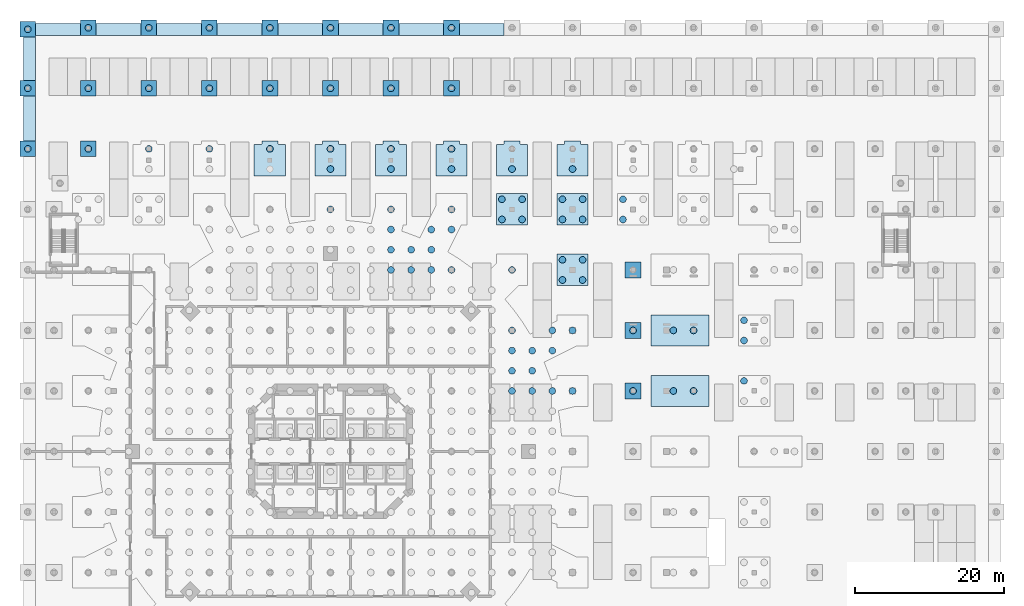
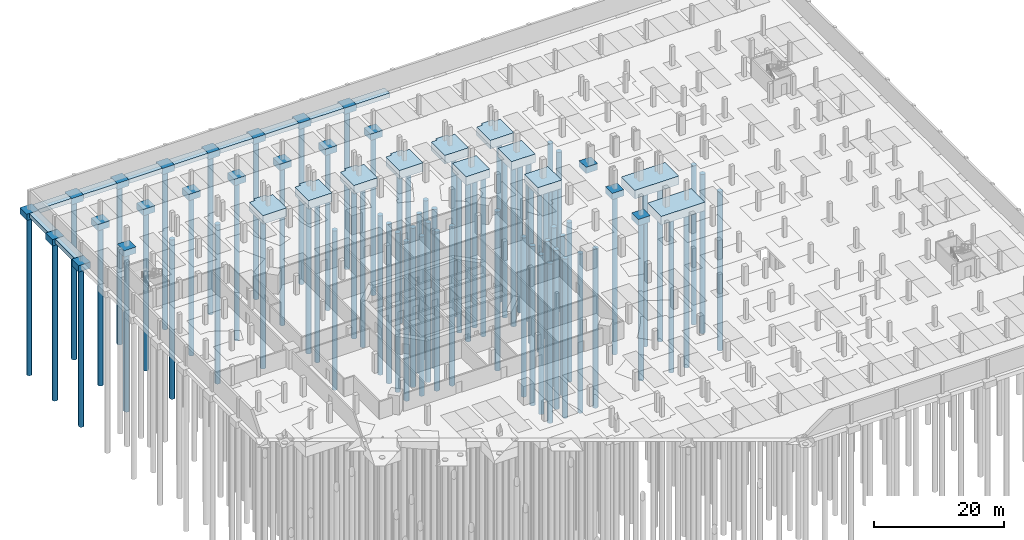
# One storey, part 6 of 23: 78 piles, 42 footings.
"""IFC4 building model written with IfcOpenShell, lengths in metres."""

from ifc_helpers import new_model, si_unit, direction, frame, origin, origin_2d, place, context, subcontext, project, spatial, polyline, rectangle, circle, outline, extrude, material, material_profile, profile_set, type_object, element, save


model = new_model("IFC4")

# Units and contexts
model_context = context("Model", 3, precision=1e-05, world=origin(), true_north=direction((0.0, 1.0)))
body_context = subcontext(model_context, "Body", "Model", "MODEL_VIEW")
ifc_project = project(units=[si_unit("LENGTHUNIT", "METRE"), si_unit("AREAUNIT", "SQUARE_METRE"), si_unit("VOLUMEUNIT", "CUBIC_METRE"), si_unit("PLANEANGLEUNIT", "RADIAN"), si_unit("MASSUNIT", "GRAM", prefix="KILO")], contexts=[model_context])

# Site, building, storey
site_placement = place(None, origin())
site = spatial("IfcSite", under=ifc_project, at=site_placement, CompositionType="ELEMENT")
building_placement = place(site_placement, origin())
building = spatial("IfcBuilding", under=site, at=building_placement, Name="Torre Triforio", CompositionType="ELEMENT")
storey_placement = place(building_placement, frame((0.0, 0.0, -10.800048828125)))
storey = spatial("IfcBuildingStorey", under=building, at=storey_placement, Name="B3", CompositionType="ELEMENT", Elevation=-10.800048828125)

# Piles
ifc_material_1 = material(Name="Concrete C35", Category="concrete")
ifc_material_profile = material_profile(ifc_material_1, circle(Radius=0.449951171875, at=origin_2d()), Name="RC D900")
ifc_profile_set = profile_set([ifc_material_profile], Name="Concrete C35")
pile_type = type_object("IfcPileType", Name="Bored pile D900 C35", PredefinedType="BORED", material=ifc_profile_set)
for number, where, z_axis, x_axis, name in (
    (1, (0.0, 32.39990234375, -3.39990234375), (0.0, 0.0, -1.0), (1.0, 0.0, 0.0), "PL.RAFT.241"),
    (2, (8.10009765625, 24.300048828125, -3.39990234375), (0.0, 0.0, -1.0), (1.0, 0.0, 0.0), "PL.RAFT.309"),
    (3, (8.10009765625, 27.0, -3.39990234375), (0.0, 0.0, -1.0), (1.0, 0.0, 0.0), "PL.RAFT.310"),
    (4, (8.10009765625, 29.699951171875, -3.39990234375), (0.0, 0.0, -1.0), (1.0, 0.0, 0.0), "PL.RAFT.311"),
    (5, (8.10009765625, 32.39990234375, -3.39990234375), (0.0, 0.0, -1.0), (1.0, 0.0, 0.0), "PL.RAFT.312"),
    (6, (10.800048828125, 24.300048828125, -3.39990234375), (0.0, 0.0, -1.0), (1.0, 0.0, 0.0), "PL.RAFT.332"),
    (7, (10.800048828125, 27.0, -3.39990234375), (0.0, 0.0, -1.0), (1.0, 0.0, 0.0), "PL.RAFT.333"),
    (8, (13.5, 24.300048828125, -3.39990234375), (0.0, 0.0, -1.0), (1.0, 0.0, 0.0), "PL.RAFT.354"),
    (9, (13.5, 27.0, -3.39990234375), (0.0, 0.0, -1.0), (1.0, 0.0, 0.0), "PL.RAFT.355"),
    (10, (13.5, 29.699951171875, -3.39990234375), (0.0, 0.0, -1.0), (1.0, 0.0, 0.0), "PL.RAFT.356"),
    (11, (16.199951171875, 24.300048828125, -3.39990234375), (0.0, 0.0, -1.0), (1.0, 0.0, 0.0), "PL.RAFT.377"),
    (12, (16.199951171875, 29.699951171875, -3.39990234375), (0.0, 0.0, -1.0), (1.0, 0.0, 0.0), "PL.RAFT.378"),
    (13, (16.199951171875, 32.39990234375, -3.39990234375), (0.0, 0.0, -1.0), (1.0, 0.0, 0.0), "PL.RAFT.379"),
    (14, (24.300048828125, 8.10009765625, -3.39990234375), (0.0, 0.0, -1.0), (1.0, 0.0, 0.0), "PL.RAFT.424"),
    (15, (24.300048828125, 10.800048828125, -3.39990234375), (0.0, 0.0, -1.0), (1.0, 0.0, 0.0), "PL.RAFT.425"),
    (16, (24.300048828125, 13.5, -3.39990234375), (0.0, 0.0, -1.0), (1.0, 0.0, 0.0), "PL.RAFT.426"),
    (17, (24.300048828125, 16.199951171875, -3.39990234375), (0.0, 0.0, -1.0), (1.0, 0.0, 0.0), "PL.RAFT.427"),
    (18, (24.300048828125, 24.300048828125, -3.39990234375), (0.0, 0.0, -1.0), (1.0, 0.0, 0.0), "PL.RAFT.428"),
    (19, (27.0, 8.10009765625, -3.39990234375), (0.0, 0.0, -1.0), (1.0, 0.0, 0.0), "PL.RAFT.437"),
    (20, (27.0, 10.800048828125, -3.39990234375), (0.0, 0.0, -1.0), (1.0, 0.0, 0.0), "PL.RAFT.438"),
    (21, (27.0, 13.5, -3.39990234375), (0.0, 0.0, -1.0), (1.0, 0.0, 0.0), "PL.RAFT.439"),
    (22, (29.699951171875, 8.10009765625, -3.39990234375), (0.0, 0.0, -1.0), (1.0, 0.0, 0.0), "PL.RAFT.448"),
    (23, (29.699951171875, 13.5, -3.39990234375), (0.0, 0.0, -1.0), (1.0, 0.0, 0.0), "PL.RAFT.449"),
    (24, (29.699951171875, 16.199951171875, -3.39990234375), (0.0, 0.0, -1.0), (1.0, 0.0, 0.0), "PL.RAFT.450"),
    (25, (32.39990234375, 8.10009765625, -3.39990234375), (0.0, 0.0, -1.0), (1.0, 0.0, 0.0), "PL.RAFT.454"),
    (26, (32.39990234375, 16.199951171875, -3.39990234375), (0.0, 0.0, -1.0), (1.0, 0.0, 0.0), "PL.RAFT.455"),
    (27, (40.5, 8.10009765625, -1.099853515625), (0.0, 0.0, -1.0), (1.0, 0.0, 0.0), "PL.PC.110.1"),
    (28, (45.89990234375, 8.10009765625, -1.5), (0.0, 0.0, -1.0), (1.0, 0.0, 0.0), "PL.PC.111.1"),
    (29, (48.60009765625, 8.10009765625, -1.5), (0.0, 0.0, -1.0), (1.0, 0.0, 0.0), "PL.PC.111.2"),
    (30, (55.35009765625, 9.449951171875, -1.5), (0.0, 0.0, -1.0), (1.0, 0.0, 0.0), "PL.PC.112.3"),
    (31, (40.5, 16.199951171875, -1.099853515625), (0.0, 0.0, -1.0), (1.0, 0.0, 0.0), "PL.PC.120.1"),
    (32, (45.89990234375, 16.199951171875, -1.5), (0.0, 0.0, -1.0), (1.0, 0.0, 0.0), "PL.PC.121.1"),
    (33, (48.60009765625, 16.199951171875, -1.5), (0.0, 0.0, -1.0), (1.0, 0.0, 0.0), "PL.PC.121.2"),
    (34, (55.35009765625, 14.85009765625, -1.5), (0.0, 0.0, -1.0), (1.0, 0.0, 0.0), "PL.PC.122.1"),
    (35, (55.35009765625, 17.550048828125, -1.5), (0.0, 0.0, -1.0), (1.0, 0.0, 0.0), "PL.PC.122.3"),
    (36, (31.050048828125, 22.949951171875, -1.5), (0.0, 0.0, -1.0), (1.0, 0.0, 0.0), "PL.PC.131.1"),
    (37, (33.75, 22.949951171875, -1.5), (0.0, 0.0, -1.0), (1.0, 0.0, 0.0), "PL.PC.131.2"),
    (38, (31.050048828125, 25.64990234375, -1.5), (0.0, 0.0, -1.0), (1.0, 0.0, 0.0), "PL.PC.131.3"),
    (39, (33.75, 25.64990234375, -1.5), (0.0, 0.0, -1.0), (1.0, 0.0, 0.0), "PL.PC.131.4"),
    (40, (22.949951171875, 31.050048828125, -1.5), (0.0, 0.0, -1.0), (1.0, 0.0, 0.0), "PL.PC.145.1"),
    (41, (25.64990234375, 31.050048828125, -1.5), (0.0, 0.0, -1.0), (1.0, 0.0, 0.0), "PL.PC.145.2"),
    (42, (22.949951171875, 33.75, -1.5), (0.0, 0.0, -1.0), (1.0, 0.0, 0.0), "PL.PC.145.3"),
    (43, (25.64990234375, 33.75, -1.5), (0.0, 0.0, -1.0), (1.0, 0.0, 0.0), "PL.PC.145.4"),
    (44, (31.050048828125, 31.050048828125, -1.5), (0.0, 0.0, -1.0), (1.0, 0.0, 0.0), "PL.PC.146.1"),
    (45, (33.75, 31.050048828125, -1.5), (0.0, 0.0, -1.0), (1.0, 0.0, 0.0), "PL.PC.146.2"),
    (46, (31.050048828125, 33.75, -1.5), (0.0, 0.0, -1.0), (1.0, 0.0, 0.0), "PL.PC.146.3"),
    (47, (33.75, 33.75, -1.5), (0.0, 0.0, -1.0), (1.0, 0.0, 0.0), "PL.PC.146.4"),
    (48, (39.14990234375, 31.050048828125, -1.5), (0.0, 0.0, -1.0), (1.0, 0.0, 0.0), "PL.PC.147.1"),
    (49, (39.14990234375, 33.75, -1.5), (0.0, 0.0, -1.0), (1.0, 0.0, 0.0), "PL.PC.147.3"),
    (50, (-24.300048828125, 40.5, -1.5), (0.0, 0.0, -1.0), (1.0, 0.0, 0.0), "PL.PC.157.2"),
    (51, (-16.199951171875, 40.5, -1.5), (0.0, 0.0, -1.0), (1.0, 0.0, 0.0), "PL.PC.158.2"),
    (52, (-8.10009765625, 40.5, -1.5), (0.0, 0.0, -1.0), (1.0, 0.0, 0.0), "PL.PC.159.2"),
    (53, (0.0, 37.800048828125, -1.5), (0.0, 0.0, -1.0), (1.0, 0.0, 0.0), "PL.PC.160.1"),
    (54, (0.0, 40.5, -1.5), (0.0, 0.0, -1.0), (1.0, 0.0, 0.0), "PL.PC.160.2"),
    (55, (8.10009765625, 37.800048828125, -1.5), (0.0, 0.0, -1.0), (1.0, 0.0, 0.0), "PL.PC.161.1"),
    (56, (8.10009765625, 40.5, -1.5), (0.0, 0.0, -1.0), (1.0, 0.0, 0.0), "PL.PC.161.2"),
    (57, (16.199951171875, 37.800048828125, -1.5), (0.0, 0.0, -1.0), (1.0, 0.0, 0.0), "PL.PC.162.1"),
    (58, (16.199951171875, 40.5, -1.5), (0.0, 0.0, -1.0), (1.0, 0.0, 0.0), "PL.PC.162.2"),
    (59, (24.300048828125, 37.800048828125, -1.5), (0.0, 0.0, -1.0), (1.0, 0.0, 0.0), "PL.PC.163.1"),
    (60, (32.39990234375, 37.800048828125, -1.5), (0.0, 0.0, -1.0), (1.0, 0.0, 0.0), "PL.PC.164.1"),
    (61, (-40.5, 40.5, -1.099853515625), (0.0, 0.0, -1.0), (1.0, 0.0, 0.0), "PL.PC.167.1"),
    (62, (-32.39990234375, 40.5, -1.099853515625), (0.0, 0.0, -1.0), (1.0, 0.0, 0.0), "PL.PC.168.1"),
    (63, (-40.5, 48.60009765625, -1.099853515625), (0.0, 0.0, -1.0), (1.0, 0.0, 0.0), "PL.PC.173.1"),
    (64, (-32.39990234375, 48.60009765625, -1.099853515625), (0.0, 0.0, -1.0), (1.0, 0.0, 0.0), "PL.PC.174.1"),
    (65, (-24.300048828125, 48.60009765625, -1.099853515625), (0.0, 0.0, -1.0), (1.0, 0.0, 0.0), "PL.PC.175.1"),
    (66, (-16.199951171875, 48.60009765625, -1.099853515625), (0.0, 0.0, -1.0), (1.0, 0.0, 0.0), "PL.PC.176.1"),
    (67, (-8.10009765625, 48.60009765625, -1.099853515625), (0.0, 0.0, -1.0), (1.0, 0.0, 0.0), "PL.PC.177.1"),
    (68, (0.0, 48.60009765625, -1.099853515625), (0.0, 0.0, -1.0), (1.0, 0.0, 0.0), "PL.PC.178.1"),
    (69, (8.10009765625, 48.60009765625, -1.099853515625), (0.0, 0.0, -1.0), (1.0, 0.0, 0.0), "PL.PC.179.1"),
    (70, (16.199951171875, 48.60009765625, -1.099853515625), (0.0, 0.0, -1.0), (1.0, 0.0, 0.0), "PL.PC.180.1"),
    (71, (-40.5, 56.5, -1.099853515625), (0.0, 0.0, -1.0), (1.0, 0.0, 0.0), "PL.PC.190.1"),
    (72, (-32.39990234375, 56.699951171875, -1.099853515625), (0.0, 0.0, -1.0), (1.0, 0.0, 0.0), "PL.PC.192.1"),
    (73, (-24.300048828125, 56.699951171875, -1.099853515625), (0.0, 0.0, -1.0), (1.0, 0.0, 0.0), "PL.PC.193.1"),
    (74, (-16.199951171875, 56.699951171875, -1.099853515625), (0.0, 0.0, -1.0), (1.0, 0.0, 0.0), "PL.PC.194.1"),
    (75, (-8.10009765625, 56.699951171875, -1.099853515625), (0.0, 0.0, -1.0), (1.0, 0.0, 0.0), "PL.PC.195.1"),
    (76, (0.0, 56.699951171875, -1.099853515625), (0.0, 0.0, -1.0), (1.0, 0.0, 0.0), "PL.PC.196.1"),
    (77, (8.10009765625, 56.699951171875, -1.099853515625), (0.0, 0.0, -1.0), (1.0, 0.0, 0.0), "PL.PC.197.1"),
    (78, (16.199951171875, 56.699951171875, -1.099853515625), (0.0, 0.0, -1.0), (1.0, 0.0, 0.0), "PL.PC.198.1"),
):
    element("IfcPile", number, at=place(storey_placement, frame(where, z_axis=z_axis, x_axis=x_axis)), inside=storey, type_object=pile_type, Name=name, PredefinedType="BORED", context=body_context, shape_type="SweptSolid", body=[
        extrude(circle(Radius=0.449951171875, at=origin_2d()), origin(), (0.0, 0.0, 1.0), 30.0),
    ])

# Footings
ifc_material_2 = material(Name="Concrete C50", Category="concrete")
footing_type_1 = type_object("IfcFootingType", Name="Pile cap combined 1600 C50", PredefinedType="PILE_CAP", material=ifc_material_2)
footing_1_placement = place(storey_placement, frame((0.0, 0.0, -1.599853515625)))
element("IfcFooting", 79, at=footing_1_placement, inside=storey, type_object=footing_type_1, Name="FT.PC.111", PredefinedType="PILE_CAP", context=body_context, shape_type="SweptSolid", body=[
    extrude(outline(polyline([(42.900146484375, 6.000244140625), (42.903564453125, 6.0), (50.6962890625, 6.0), (50.69970703125, 6.000244140625), (50.699951171875, 6.003662109375), (50.699951171875, 10.1962890625), (50.69970703125, 10.19970703125), (50.6962890625, 10.199951171875), (42.903564453125, 10.199951171875), (42.900146484375, 10.19970703125), (42.89990234375, 10.1962890625), (42.89990234375, 6.003662109375), (42.900146484375, 6.000244140625)])), origin(), (0.0, 0.0, 1.0), 1.599853515625),
])
footing_2_placement = place(storey_placement, frame((0.0, 0.0, -1.599853515625)))
element("IfcFooting", 80, at=footing_2_placement, inside=storey, type_object=footing_type_1, Name="FT.PC.121", PredefinedType="PILE_CAP", context=body_context, shape_type="SweptSolid", body=[
    extrude(outline(polyline([(42.900146484375, 14.10009765625), (42.903564453125, 14.10009765625), (50.6962890625, 14.10009765625), (50.69970703125, 14.10009765625), (50.699951171875, 14.103759765625), (50.699951171875, 18.29638671875), (50.69970703125, 18.2998046875), (50.6962890625, 18.300048828125), (42.903564453125, 18.300048828125), (42.900146484375, 18.2998046875), (42.89990234375, 18.29638671875), (42.89990234375, 14.103759765625), (42.900146484375, 14.10009765625)])), origin(), (0.0, 0.0, 1.0), 1.599853515625),
])
footing_3_placement = place(storey_placement, frame((0.0, 0.0, -1.599853515625)))
element("IfcFooting", 81, at=footing_3_placement, inside=storey, type_object=footing_type_1, Name="FT.PC.159", PredefinedType="PILE_CAP", context=body_context, shape_type="SweptSolid", body=[
    extrude(outline(polyline([(-10.19970703125, 36.900146484375), (-10.1962890625, 36.89990234375), (-6.003662109375, 36.89990234375), (-6.000244140625, 36.900146484375), (-6.0, 36.903564453125), (-6.0, 41.096435546875), (-6.000244140625, 41.099853515625), (-6.003662109375, 41.10009765625), (-6.89990234375, 41.10009765625), (-6.914794921875, 41.100830078125), (-6.92919921875, 41.102783203125), (-6.943603515625, 41.1064453125), (-6.95751953125, 41.111328125), (-6.970703125, 41.11767578125), (-6.9833984375, 41.125244140625), (-6.9951171875, 41.134033203125), (-7.006103515625, 41.14404296875), (-7.015869140625, 41.15478515625), (-7.024658203125, 41.166748046875), (-7.0322265625, 41.17919921875), (-7.03857421875, 41.192626953125), (-7.04345703125, 41.20654296875), (-7.047119140625, 41.220703125), (-7.04931640625, 41.2353515625), (-7.050048828125, 41.25), (-7.050048828125, 41.54638671875), (-7.05029296875, 41.5498046875), (-7.0537109375, 41.550048828125), (-9.146240234375, 41.550048828125), (-9.14990234375, 41.5498046875), (-9.14990234375, 41.54638671875), (-9.14990234375, 41.25), (-9.150634765625, 41.2353515625), (-9.15283203125, 41.220703125), (-9.156494140625, 41.20654296875), (-9.161376953125, 41.192626953125), (-9.167724609375, 41.17919921875), (-9.17529296875, 41.166748046875), (-9.18408203125, 41.15478515625), (-9.19384765625, 41.14404296875), (-9.204833984375, 41.134033203125), (-9.216552734375, 41.125244140625), (-9.229248046875, 41.11767578125), (-9.24267578125, 41.111328125), (-9.25634765625, 41.1064453125), (-9.270751953125, 41.102783203125), (-9.285400390625, 41.100830078125), (-9.300048828125, 41.10009765625), (-10.1962890625, 41.10009765625), (-10.19970703125, 41.099853515625), (-10.199951171875, 41.096435546875), (-10.199951171875, 36.903564453125), (-10.19970703125, 36.900146484375)])), origin(), (0.0, 0.0, 1.0), 1.599853515625),
])
footing_4_placement = place(storey_placement, frame((0.0, 0.0, -1.599853515625)))
element("IfcFooting", 82, at=footing_4_placement, inside=storey, type_object=footing_type_1, Name="FT.PC.160", PredefinedType="PILE_CAP", context=body_context, shape_type="SweptSolid", body=[
    extrude(outline(polyline([(-2.099853515625, 36.900146484375), (-2.096435546875, 36.89990234375), (2.096435546875, 36.89990234375), (2.099853515625, 36.900146484375), (2.10009765625, 36.903564453125), (2.10009765625, 41.096435546875), (2.099853515625, 41.099853515625), (2.096435546875, 41.10009765625), (1.199951171875, 41.10009765625), (1.185302734375, 41.100830078125), (1.170654296875, 41.102783203125), (1.156494140625, 41.1064453125), (1.142578125, 41.111328125), (1.12939453125, 41.11767578125), (1.11669921875, 41.125244140625), (1.104736328125, 41.134033203125), (1.093994140625, 41.14404296875), (1.083984375, 41.15478515625), (1.0751953125, 41.166748046875), (1.067626953125, 41.17919921875), (1.0615234375, 41.192626953125), (1.056396484375, 41.20654296875), (1.052978515625, 41.220703125), (1.05078125, 41.2353515625), (1.050048828125, 41.25), (1.050048828125, 41.54638671875), (1.0498046875, 41.5498046875), (1.04638671875, 41.550048828125), (-1.04638671875, 41.550048828125), (-1.0498046875, 41.5498046875), (-1.050048828125, 41.54638671875), (-1.050048828125, 41.25), (-1.05078125, 41.2353515625), (-1.052978515625, 41.220703125), (-1.056396484375, 41.20654296875), (-1.0615234375, 41.192626953125), (-1.067626953125, 41.17919921875), (-1.0751953125, 41.166748046875), (-1.083984375, 41.15478515625), (-1.093994140625, 41.14404296875), (-1.104736328125, 41.134033203125), (-1.11669921875, 41.125244140625), (-1.12939453125, 41.11767578125), (-1.142578125, 41.111328125), (-1.156494140625, 41.1064453125), (-1.170654296875, 41.102783203125), (-1.185302734375, 41.100830078125), (-1.199951171875, 41.10009765625), (-2.096435546875, 41.10009765625), (-2.099853515625, 41.099853515625), (-2.10009765625, 41.096435546875), (-2.10009765625, 36.903564453125), (-2.099853515625, 36.900146484375)])), origin(), (0.0, 0.0, 1.0), 1.599853515625),
])
footing_5_placement = place(storey_placement, frame((0.0, 0.0, -1.599853515625)))
element("IfcFooting", 83, at=footing_5_placement, inside=storey, type_object=footing_type_1, Name="FT.PC.161", PredefinedType="PILE_CAP", context=body_context, shape_type="SweptSolid", body=[
    extrude(outline(polyline([(6.000244140625, 36.900146484375), (6.003662109375, 36.89990234375), (10.1962890625, 36.89990234375), (10.19970703125, 36.900146484375), (10.199951171875, 36.903564453125), (10.199951171875, 41.096435546875), (10.19970703125, 41.099853515625), (10.1962890625, 41.10009765625), (9.300048828125, 41.10009765625), (9.285400390625, 41.100830078125), (9.270751953125, 41.102783203125), (9.25634765625, 41.1064453125), (9.24267578125, 41.111328125), (9.229248046875, 41.11767578125), (9.216552734375, 41.125244140625), (9.204833984375, 41.134033203125), (9.19384765625, 41.14404296875), (9.18408203125, 41.15478515625), (9.17529296875, 41.166748046875), (9.167724609375, 41.17919921875), (9.161376953125, 41.192626953125), (9.156494140625, 41.20654296875), (9.15283203125, 41.220703125), (9.150634765625, 41.2353515625), (9.14990234375, 41.25), (9.14990234375, 41.54638671875), (9.14990234375, 41.5498046875), (9.146240234375, 41.550048828125), (7.0537109375, 41.550048828125), (7.05029296875, 41.5498046875), (7.050048828125, 41.54638671875), (7.050048828125, 41.25), (7.04931640625, 41.2353515625), (7.047119140625, 41.220703125), (7.04345703125, 41.20654296875), (7.03857421875, 41.192626953125), (7.0322265625, 41.17919921875), (7.024658203125, 41.166748046875), (7.015869140625, 41.15478515625), (7.006103515625, 41.14404296875), (6.9951171875, 41.134033203125), (6.9833984375, 41.125244140625), (6.970703125, 41.11767578125), (6.95751953125, 41.111328125), (6.943603515625, 41.1064453125), (6.92919921875, 41.102783203125), (6.914794921875, 41.100830078125), (6.89990234375, 41.10009765625), (6.003662109375, 41.10009765625), (6.000244140625, 41.099853515625), (6.0, 41.096435546875), (6.0, 36.903564453125), (6.000244140625, 36.900146484375)])), origin(), (0.0, 0.0, 1.0), 1.599853515625),
])
footing_6_placement = place(storey_placement, frame((0.0, 0.0, -1.599853515625)))
element("IfcFooting", 84, at=footing_6_placement, inside=storey, type_object=footing_type_1, Name="FT.PC.162", PredefinedType="PILE_CAP", context=body_context, shape_type="SweptSolid", body=[
    extrude(outline(polyline([(14.10009765625, 36.900146484375), (14.103759765625, 36.89990234375), (18.29638671875, 36.89990234375), (18.2998046875, 36.900146484375), (18.300048828125, 36.903564453125), (18.300048828125, 41.096435546875), (18.2998046875, 41.099853515625), (18.29638671875, 41.10009765625), (17.39990234375, 41.10009765625), (17.38525390625, 41.100830078125), (17.370849609375, 41.102783203125), (17.3564453125, 41.1064453125), (17.342529296875, 41.111328125), (17.329345703125, 41.11767578125), (17.316650390625, 41.125244140625), (17.304931640625, 41.134033203125), (17.2939453125, 41.14404296875), (17.283935546875, 41.15478515625), (17.275390625, 41.166748046875), (17.267822265625, 41.17919921875), (17.261474609375, 41.192626953125), (17.25634765625, 41.20654296875), (17.2529296875, 41.220703125), (17.250732421875, 41.2353515625), (17.25, 41.25), (17.25, 41.54638671875), (17.249755859375, 41.5498046875), (17.246337890625, 41.550048828125), (15.153564453125, 41.550048828125), (15.150146484375, 41.5498046875), (15.14990234375, 41.54638671875), (15.14990234375, 41.25), (15.149169921875, 41.2353515625), (15.147216796875, 41.220703125), (15.1435546875, 41.20654296875), (15.138671875, 41.192626953125), (15.13232421875, 41.17919921875), (15.124755859375, 41.166748046875), (15.115966796875, 41.15478515625), (15.10595703125, 41.14404296875), (15.09521484375, 41.134033203125), (15.083251953125, 41.125244140625), (15.07080078125, 41.11767578125), (15.057373046875, 41.111328125), (15.04345703125, 41.1064453125), (15.029296875, 41.102783203125), (15.0146484375, 41.100830078125), (15.0, 41.10009765625), (14.103759765625, 41.10009765625), (14.10009765625, 41.099853515625), (14.10009765625, 41.096435546875), (14.10009765625, 36.903564453125), (14.10009765625, 36.900146484375)])), origin(), (0.0, 0.0, 1.0), 1.599853515625),
])
footing_7_placement = place(storey_placement, frame((0.0, 0.0, -1.599853515625)))
element("IfcFooting", 85, at=footing_7_placement, inside=storey, type_object=footing_type_1, Name="FT.PC.163", PredefinedType="PILE_CAP", context=body_context, shape_type="SweptSolid", body=[
    extrude(outline(polyline([(22.2001953125, 36.900146484375), (22.20361328125, 36.89990234375), (26.396240234375, 36.89990234375), (26.39990234375, 36.900146484375), (26.39990234375, 36.903564453125), (26.39990234375, 41.096435546875), (26.39990234375, 41.099853515625), (26.396240234375, 41.10009765625), (25.5, 41.10009765625), (25.4853515625, 41.100830078125), (25.470703125, 41.102783203125), (25.45654296875, 41.1064453125), (25.442626953125, 41.111328125), (25.42919921875, 41.11767578125), (25.416748046875, 41.125244140625), (25.40478515625, 41.134033203125), (25.39404296875, 41.14404296875), (25.384033203125, 41.15478515625), (25.375244140625, 41.166748046875), (25.36767578125, 41.17919921875), (25.361328125, 41.192626953125), (25.3564453125, 41.20654296875), (25.352783203125, 41.220703125), (25.350830078125, 41.2353515625), (25.35009765625, 41.25), (25.35009765625, 41.54638671875), (25.349853515625, 41.5498046875), (25.346435546875, 41.550048828125), (23.253662109375, 41.550048828125), (23.250244140625, 41.5498046875), (23.25, 41.54638671875), (23.25, 41.25), (23.249267578125, 41.2353515625), (23.2470703125, 41.220703125), (23.24365234375, 41.20654296875), (23.238525390625, 41.192626953125), (23.232177734375, 41.17919921875), (23.224609375, 41.166748046875), (23.216064453125, 41.15478515625), (23.2060546875, 41.14404296875), (23.195068359375, 41.134033203125), (23.183349609375, 41.125244140625), (23.170654296875, 41.11767578125), (23.157470703125, 41.111328125), (23.1435546875, 41.1064453125), (23.129150390625, 41.102783203125), (23.11474609375, 41.100830078125), (23.10009765625, 41.10009765625), (22.20361328125, 41.10009765625), (22.2001953125, 41.099853515625), (22.199951171875, 41.096435546875), (22.199951171875, 36.903564453125), (22.2001953125, 36.900146484375)])), origin(), (0.0, 0.0, 1.0), 1.599853515625),
])
footing_8_placement = place(storey_placement, frame((0.0, 0.0, -1.599853515625)))
element("IfcFooting", 86, at=footing_8_placement, inside=storey, type_object=footing_type_1, Name="FT.PC.164", PredefinedType="PILE_CAP", context=body_context, shape_type="SweptSolid", body=[
    extrude(outline(polyline([(30.30029296875, 36.900146484375), (30.3037109375, 36.89990234375), (34.496337890625, 36.89990234375), (34.499755859375, 36.900146484375), (34.5, 36.903564453125), (34.5, 41.096435546875), (34.499755859375, 41.099853515625), (34.496337890625, 41.10009765625), (33.60009765625, 41.10009765625), (33.585205078125, 41.100830078125), (33.57080078125, 41.102783203125), (33.556396484375, 41.1064453125), (33.54248046875, 41.111328125), (33.529296875, 41.11767578125), (33.5166015625, 41.125244140625), (33.5048828125, 41.134033203125), (33.493896484375, 41.14404296875), (33.484130859375, 41.15478515625), (33.475341796875, 41.166748046875), (33.4677734375, 41.17919921875), (33.46142578125, 41.192626953125), (33.45654296875, 41.20654296875), (33.452880859375, 41.220703125), (33.45068359375, 41.2353515625), (33.449951171875, 41.25), (33.449951171875, 41.54638671875), (33.44970703125, 41.5498046875), (33.4462890625, 41.550048828125), (31.353759765625, 41.550048828125), (31.35009765625, 41.5498046875), (31.35009765625, 41.54638671875), (31.35009765625, 41.25), (31.349365234375, 41.2353515625), (31.34716796875, 41.220703125), (31.343505859375, 41.20654296875), (31.338623046875, 41.192626953125), (31.332275390625, 41.17919921875), (31.32470703125, 41.166748046875), (31.31591796875, 41.15478515625), (31.30615234375, 41.14404296875), (31.295166015625, 41.134033203125), (31.283447265625, 41.125244140625), (31.270751953125, 41.11767578125), (31.25732421875, 41.111328125), (31.24365234375, 41.1064453125), (31.229248046875, 41.102783203125), (31.214599609375, 41.100830078125), (31.199951171875, 41.10009765625), (30.3037109375, 41.10009765625), (30.30029296875, 41.099853515625), (30.300048828125, 41.096435546875), (30.300048828125, 36.903564453125), (30.30029296875, 36.900146484375)])), origin(), (0.0, 0.0, 1.0), 1.599853515625),
])
footing_type_2 = type_object("IfcFootingType", Name="Pile cap four pile 4200 1600 C50", PredefinedType="PILE_CAP", material=ifc_material_2)
for number, where, z_axis, x_axis, name in (
    (87, (32.39990234375, 24.300048828125, -1.60009765625), (0.0, 0.0, 1.0), (1.0, 0.0, 0.0), "FT.PC.131"),
    (88, (24.300048828125, 32.39990234375, -1.60009765625), (0.0, 0.0, 1.0), (1.0, 0.0, 0.0), "FT.PC.145"),
    (89, (32.39990234375, 32.39990234375, -1.60009765625), (0.0, 0.0, 1.0), (1.0, 0.0, 0.0), "FT.PC.146"),
):
    element("IfcFooting", number, at=place(storey_placement, frame(where, z_axis=z_axis, x_axis=x_axis)), inside=storey, type_object=footing_type_2, Name=name, PredefinedType="PILE_CAP", context=body_context, shape_type="SweptSolid", body=[
        extrude(rectangle(XDim=4.199951171875, YDim=4.199951171875, at=origin_2d()), origin(), (0.0, 0.0, 1.0), 1.60009765625),
    ])
footing_type_3 = type_object("IfcFootingType", Name="Pile cap single pile 2100 1200 C50", PredefinedType="PILE_CAP", material=ifc_material_2)
for number, where, z_axis, x_axis, name in (
    (90, (40.5, 8.10009765625, -1.19970703125), (0.0, 0.0, 1.0), (1.0, 0.0, 0.0), "FT.PC.110"),
    (91, (40.5, 16.199951171875, -1.19970703125), (0.0, 0.0, 1.0), (1.0, 0.0, 0.0), "FT.PC.120"),
    (92, (40.5, 24.300048828125, -1.19970703125), (0.0, 0.0, 1.0), (1.0, 0.0, 0.0), "FT.PC.132"),
    (93, (-40.5, 40.5, -1.19970703125), (0.0, 0.0, 1.0), (1.0, 0.0, 0.0), "FT.PC.167"),
    (94, (-32.39990234375, 40.5, -1.19970703125), (0.0, 0.0, 1.0), (1.0, 0.0, 0.0), "FT.PC.168"),
    (95, (-40.5, 48.60009765625, -1.19970703125), (0.0, 0.0, 1.0), (1.0, 0.0, 0.0), "FT.PC.173"),
    (96, (-32.39990234375, 48.60009765625, -1.19970703125), (0.0, 0.0, 1.0), (1.0, 0.0, 0.0), "FT.PC.174"),
    (97, (-24.300048828125, 48.60009765625, -1.19970703125), (0.0, 0.0, 1.0), (1.0, 0.0, 0.0), "FT.PC.175"),
    (98, (-16.199951171875, 48.60009765625, -1.19970703125), (0.0, 0.0, 1.0), (1.0, 0.0, 0.0), "FT.PC.176"),
    (99, (-8.10009765625, 48.60009765625, -1.19970703125), (0.0, 0.0, 1.0), (1.0, 0.0, 0.0), "FT.PC.177"),
    (100, (0.0, 48.60009765625, -1.19970703125), (0.0, 0.0, 1.0), (1.0, 0.0, 0.0), "FT.PC.178"),
    (101, (8.10009765625, 48.60009765625, -1.19970703125), (0.0, 0.0, 1.0), (1.0, 0.0, 0.0), "FT.PC.179"),
    (102, (16.199951171875, 48.60009765625, -1.19970703125), (0.0, 0.0, 1.0), (1.0, 0.0, 0.0), "FT.PC.180"),
    (103, (-40.5, 56.5, -1.19970703125), (0.0, 0.0, 1.0), (1.0, 0.0, 0.0), "FT.PC.190"),
    (104, (-32.39990234375, 56.699951171875, -1.19970703125), (0.0, 0.0, 1.0), (1.0, 0.0, 0.0), "FT.PC.192"),
    (105, (-24.300048828125, 56.699951171875, -1.19970703125), (0.0, 0.0, 1.0), (1.0, 0.0, 0.0), "FT.PC.193"),
    (106, (-16.199951171875, 56.699951171875, -1.19970703125), (0.0, 0.0, 1.0), (1.0, 0.0, 0.0), "FT.PC.194"),
    (107, (-8.10009765625, 56.699951171875, -1.19970703125), (0.0, 0.0, 1.0), (1.0, 0.0, 0.0), "FT.PC.195"),
    (108, (0.0, 56.699951171875, -1.19970703125), (0.0, 0.0, 1.0), (1.0, 0.0, 0.0), "FT.PC.196"),
    (109, (8.10009765625, 56.699951171875, -1.19970703125), (0.0, 0.0, 1.0), (1.0, 0.0, 0.0), "FT.PC.197"),
    (110, (16.199951171875, 56.699951171875, -1.19970703125), (0.0, 0.0, 1.0), (1.0, 0.0, 0.0), "FT.PC.198"),
):
    element("IfcFooting", number, at=place(storey_placement, frame(where, z_axis=z_axis, x_axis=x_axis)), inside=storey, type_object=footing_type_3, Name=name, PredefinedType="PILE_CAP", context=body_context, shape_type="SweptSolid", body=[
        extrude(rectangle(XDim=2.10009765625, YDim=2.10009765625, at=origin_2d()), origin(), (0.0, 0.0, 1.0), 1.199951171875),
    ])
ifc_material_3 = material(Name="Concrete C40", Category="concrete")
footing_type_4 = type_object("IfcFootingType", Name="Strip footing 1600 800 C40", PredefinedType="STRIP_FOOTING", material=ifc_material_3)
footing_9_placement = place(storey_placement, frame((0.0, 0.0, -0.800048828125)))
element("IfcFooting", 111, at=footing_9_placement, inside=storey, type_object=footing_type_4, Name="FT.STRIP.06", PredefinedType="STRIP_FOOTING", context=body_context, shape_type="SweptSolid", body=[
    extrude(outline(polyline([(-41.10009765625, 47.550048828125), (-41.10009765625, 41.550048828125), (-39.5, 41.550048828125), (-39.5, 47.550048828125), (-41.10009765625, 47.550048828125)])), origin(), (0.0, 0.0, 1.0), 0.800048828125),
])
footing_10_placement = place(storey_placement, frame((0.0, 0.0, -0.800048828125)))
element("IfcFooting", 112, at=footing_10_placement, inside=storey, type_object=footing_type_4, Name="FT.STRIP.08", PredefinedType="STRIP_FOOTING", context=body_context, shape_type="SweptSolid", body=[
    extrude(outline(polyline([(-33.449951171875, 57.300048828125), (-39.449951171875, 57.300048828125), (-39.449951171875, 55.699951171875), (-33.449951171875, 55.699951171875), (-33.449951171875, 57.300048828125)])), origin(), (0.0, 0.0, 1.0), 0.800048828125),
])
footing_11_placement = place(storey_placement, frame((0.0, 0.0, -0.800048828125)))
element("IfcFooting", 113, at=footing_11_placement, inside=storey, type_object=footing_type_4, Name="FT.STRIP.24", PredefinedType="STRIP_FOOTING", context=body_context, shape_type="SweptSolid", body=[
    extrude(outline(polyline([(-17.25, 57.300048828125), (-23.25, 57.300048828125), (-23.25, 55.699951171875), (-17.25, 55.699951171875), (-17.25, 57.300048828125)])), origin(), (0.0, 0.0, 1.0), 0.800048828125),
])
footing_12_placement = place(storey_placement, frame((0.0, 0.0, -0.800048828125)))
element("IfcFooting", 114, at=footing_12_placement, inside=storey, type_object=footing_type_4, Name="FT.STRIP.26", PredefinedType="STRIP_FOOTING", context=body_context, shape_type="SweptSolid", body=[
    extrude(outline(polyline([(-1.050048828125, 57.300048828125), (-7.050048828125, 57.300048828125), (-7.050048828125, 55.699951171875), (-1.050048828125, 55.699951171875), (-1.050048828125, 57.300048828125)])), origin(), (0.0, 0.0, 1.0), 0.800048828125),
])
footing_13_placement = place(storey_placement, frame((0.0, 0.0, -0.800048828125)))
element("IfcFooting", 115, at=footing_13_placement, inside=storey, type_object=footing_type_4, Name="FT.STRIP.28", PredefinedType="STRIP_FOOTING", context=body_context, shape_type="SweptSolid", body=[
    extrude(outline(polyline([(7.050048828125, 57.300048828125), (1.050048828125, 57.300048828125), (1.050048828125, 55.699951171875), (7.050048828125, 55.699951171875), (7.050048828125, 57.300048828125)])), origin(), (0.0, 0.0, 1.0), 0.800048828125),
])
footing_14_placement = place(storey_placement, frame((0.0, 0.0, -0.800048828125)))
element("IfcFooting", 116, at=footing_14_placement, inside=storey, type_object=footing_type_4, Name="FT.STRIP.30", PredefinedType="STRIP_FOOTING", context=body_context, shape_type="SweptSolid", body=[
    extrude(outline(polyline([(23.25, 57.300048828125), (17.25, 57.300048828125), (17.25, 55.699951171875), (23.25, 55.699951171875), (23.25, 57.300048828125)])), origin(), (0.0, 0.0, 1.0), 0.800048828125),
])
footing_15_placement = place(storey_placement, frame((0.0, 0.0, -0.800048828125)))
element("IfcFooting", 117, at=footing_15_placement, inside=storey, type_object=footing_type_4, Name="FT.STRIP.44", PredefinedType="STRIP_FOOTING", context=body_context, shape_type="SweptSolid", body=[
    extrude(outline(polyline([(-9.14990234375, 57.300048828125), (-15.14990234375, 57.300048828125), (-15.14990234375, 55.699951171875), (-9.14990234375, 55.699951171875), (-9.14990234375, 57.300048828125)])), origin(), (0.0, 0.0, 1.0), 0.800048828125),
])
footing_16_placement = place(storey_placement, frame((0.0, 0.0, -0.800048828125)))
element("IfcFooting", 118, at=footing_16_placement, inside=storey, type_object=footing_type_4, Name="FT.STRIP.46", PredefinedType="STRIP_FOOTING", context=body_context, shape_type="SweptSolid", body=[
    extrude(outline(polyline([(15.14990234375, 57.300048828125), (9.14990234375, 57.300048828125), (9.14990234375, 55.699951171875), (15.14990234375, 55.699951171875), (15.14990234375, 57.300048828125)])), origin(), (0.0, 0.0, 1.0), 0.800048828125),
])
footing_17_placement = place(storey_placement, frame((0.0, 0.0, -0.800048828125)))
element("IfcFooting", 119, at=footing_17_placement, inside=storey, type_object=footing_type_4, Name="FT.STRIP.52", PredefinedType="STRIP_FOOTING", context=body_context, shape_type="SweptSolid", body=[
    extrude(outline(polyline([(-25.35009765625, 57.300048828125), (-31.35009765625, 57.300048828125), (-31.35009765625, 55.699951171875), (-25.35009765625, 55.699951171875), (-25.35009765625, 57.300048828125)])), origin(), (0.0, 0.0, 1.0), 0.800048828125),
])
footing_18_placement = place(storey_placement, frame((0.0, 0.0, -0.800048828125)))
element("IfcFooting", 120, at=footing_18_placement, inside=storey, type_object=footing_type_4, Name="FT.STRIP.58", PredefinedType="STRIP_FOOTING", context=body_context, shape_type="SweptSolid", body=[
    extrude(outline(polyline([(-41.10009765625, 55.449951171875), (-41.10009765625, 49.64990234375), (-39.5, 49.64990234375), (-39.5, 55.449951171875), (-41.10009765625, 55.449951171875)])), origin(), (0.0, 0.0, 1.0), 0.800048828125),
])

save(model, "model.ifc")
